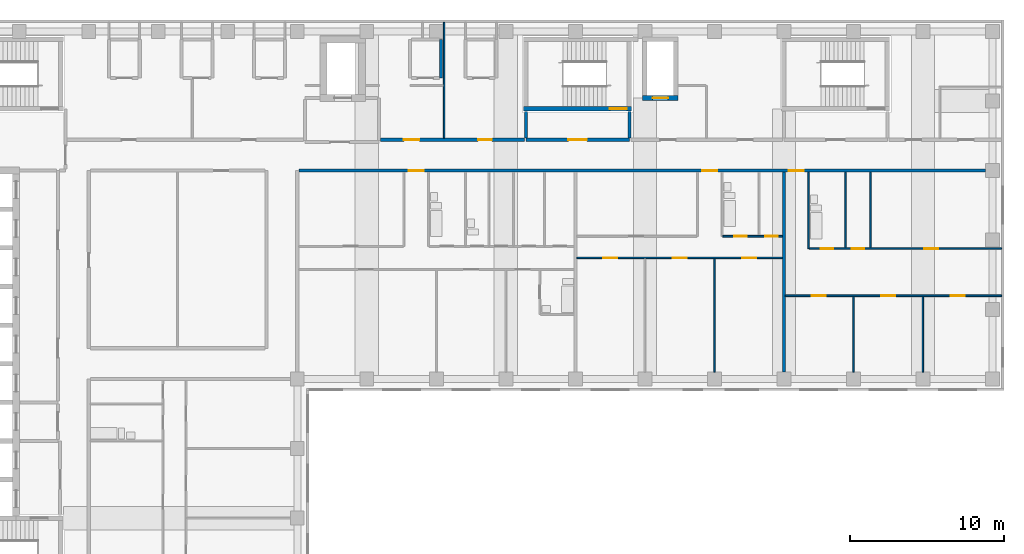
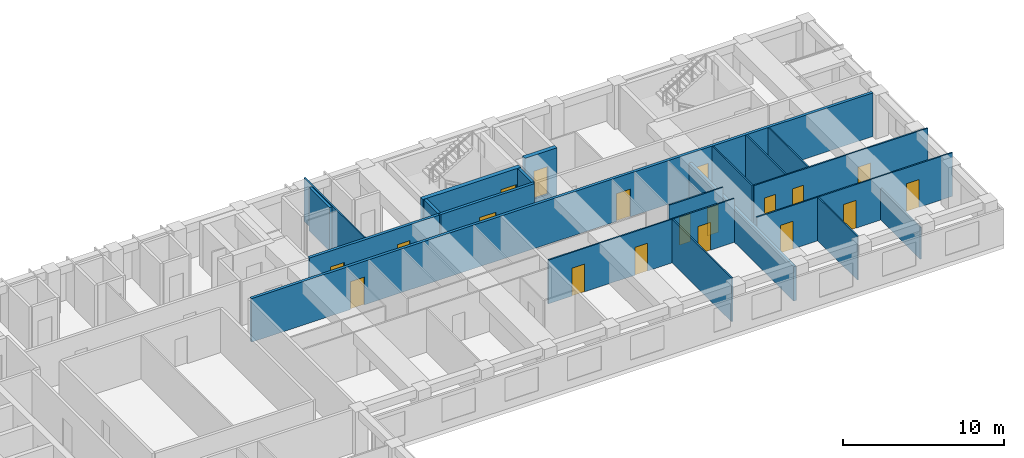
# One storey, part 7 of 11: 20 walls, 19 doors, 19 openings.
"""IFC4 building model written with IfcOpenShell, lengths in metres."""

from ifc_helpers import new_model, si_unit, direction, frame, frame_2d, origin, place, context, subcontext, project, spatial, rectangle, extrude, material, layer, layer_set, type_object, element, fill, save


model = new_model("IFC4")

# Units and contexts
model_context = context("Model", 3, precision=1e-05, world=origin(), true_north=direction((0.0, 1.0)))
body_context = subcontext(model_context, "Body", "Model", "MODEL_VIEW")
ifc_project = project(units=[si_unit("LENGTHUNIT", "METRE"), si_unit("AREAUNIT", "SQUARE_METRE"), si_unit("VOLUMEUNIT", "CUBIC_METRE"), si_unit("PLANEANGLEUNIT", "RADIAN"), si_unit("MASSUNIT", "GRAM", prefix="KILO")], contexts=[model_context])

# Site, building, storey
site_placement = place(None, origin())
site = spatial("IfcSite", under=ifc_project, at=site_placement, CompositionType="ELEMENT")
building_placement = place(site_placement, origin())
building = spatial("IfcBuilding", under=site, at=building_placement, Name="Firuza Court", CompositionType="ELEMENT")
storey_placement = place(building_placement, frame((0.0, 0.0, 179.0)))
storey = spatial("IfcBuildingStorey", under=building, at=storey_placement, Name="L45", CompositionType="ELEMENT", Elevation=179.0)

# Walls
ifc_material_1 = material(Name="Moisture-resistant gypsum board partition")
ifc_layer_1 = layer(ifc_material_1, 0.10009765625)
ifc_layer_set_1 = layer_set([ifc_layer_1], Name="Moisture-resistant gypsum board partition")
wall_type_1 = type_object("IfcWallType", Name="Bathroom partition 100", PredefinedType="PLUMBINGWALL", material=ifc_layer_set_1)
wall_1_placement = place(storey_placement, frame((55.60009765625, 44.449951171875, 0.0), z_axis=(0.0, 0.0, 1.0), x_axis=(0.0, 1.0, 0.0)))
element("IfcWall", 1, at=wall_1_placement, inside=storey, type_object=wall_type_1, Name="Bathroom partition 100 L45", PredefinedType="PLUMBINGWALL", context=body_context, shape_type="SweptSolid", body=[
    extrude(rectangle(XDim=4.949951171875, YDim=0.10009765625, at=frame_2d((2.47509765625, 0.0))), origin(), (0.0, 0.0, 1.0), 3.300048828125),
])
wall_2_placement = place(storey_placement, frame((58.0, 44.5, 0.0), z_axis=(0.0, 0.0, 1.0), x_axis=(0.0, 1.0, 0.0)))
element("IfcWall", 2, at=wall_2_placement, inside=storey, type_object=wall_type_1, Name="Bathroom partition 100 L45", PredefinedType="PLUMBINGWALL", context=body_context, shape_type="SweptSolid", body=[
    extrude(rectangle(XDim=4.89990234375, YDim=0.10009765625, at=frame_2d((2.449951171875, 0.0))), origin(), (0.0, 0.0, 1.0), 3.300048828125),
])

# Wall, opening, door
ifc_material_2 = material(Name="Concrete C50/60", Category="concrete")
ifc_layer_2 = layer(ifc_material_2, 0.300048828125)
ifc_layer_set_2 = layer_set([ifc_layer_2], Name="Concrete C50/60")
wall_type_2 = type_object("IfcWallType", Name="Core wall 300 C50/60", PredefinedType="SHEAR", material=ifc_layer_set_2)
wall_3_placement = place(storey_placement, frame((37.14990234375, 53.5, -0.300048828125), z_axis=(0.0, 0.0, 1.0), x_axis=(1.0, 0.0, 0.0)))
wall_3 = element("IfcWall", 3, at=wall_3_placement, inside=storey, type_object=wall_type_2, Name="Core wall stair L45", PredefinedType="SHEAR", context=body_context, shape_type="SweptSolid", body=[
    extrude(rectangle(XDim=7.0, YDim=0.300048828125, at=frame_2d((3.5, 0.0))), origin(), (0.0, 0.0, 1.0), 3.60009765625),
])
opening_1_placement = place(wall_3_placement, frame((5.580078125, 0.0, 0.300048828125)))
opening_1 = element("IfcOpeningElement", 4, at=opening_1_placement, cuts=wall_3, Name="Opening D45012", PredefinedType="OPENING", context=body_context, shape_type="SweptSolid", body=[
    extrude(rectangle(XDim=1.10009765625, YDim=2.10009765625, at=frame_2d((0.550048828125, 1.050048828125))), frame((0.0, 0.162109375, 0.0), z_axis=(0.0, -1.0, 0.0), x_axis=(1.0, 0.0, 0.0)), (0.0, 0.0, 1.0), 0.323974609375),
])
ifc_material_3 = material(Name="Timber door leaf in hardwood frame", Category="wood")
door_type_1 = type_object("IfcDoorType", Name="Stair door 1100", OperationType="SINGLE_SWING_LEFT", PredefinedType="DOOR", material=ifc_material_3)
door_1_placement = place(opening_1_placement, origin())
door_1 = element("IfcDoor", 5, at=door_1_placement, inside=storey, type_object=door_type_1, Name="Stair door S1", OperationType="SINGLE_SWING_RIGHT", OverallHeight=2.10009765625, OverallWidth=1.10009765625, PredefinedType="DOOR", context=body_context, shape_type="SweptSolid", body=[
    extrude(rectangle(XDim=1.10009765625, YDim=2.10009765625, at=frame_2d((0.550048828125, 1.050048828125))), frame((0.0, 0.02490234375, 0.0), z_axis=(0.0, -1.0, 0.0), x_axis=(1.0, 0.0, 0.0)), (0.0, 0.0, 1.0), 0.050048828125),
])
fill(opening_1, door_1)

wall_4_placement = place(storey_placement, frame((44.85009765625, 54.199951171875, -0.300048828125), z_axis=(0.0, 0.0, 1.0), x_axis=(1.0, 0.0, 0.0)))
wall_4 = element("IfcWall", 6, at=wall_4_placement, inside=storey, type_object=wall_type_2, Name="Core wall riser L45", PredefinedType="SHEAR", context=body_context, shape_type="SweptSolid", body=[
    extrude(rectangle(XDim=2.2998046875, YDim=0.300048828125, at=frame_2d((1.14990234375, 0.0))), origin(), (0.0, 0.0, 1.0), 3.60009765625),
])
opening_2_placement = place(wall_4_placement, frame((0.64990234375, 0.0, 0.300048828125)))
opening_2 = element("IfcOpeningElement", 7, at=opening_2_placement, cuts=wall_4, Name="Opening D45010", PredefinedType="OPENING", context=body_context, shape_type="SweptSolid", body=[
    extrude(rectangle(XDim=1.0, YDim=2.10009765625, at=frame_2d((0.5, 1.050048828125))), frame((0.0, 0.162109375, 0.0), z_axis=(0.0, -1.0, 0.0), x_axis=(1.0, 0.0, 0.0)), (0.0, 0.0, 1.0), 0.323974609375),
])
ifc_material_4 = material(Name="Timber door leaf in hardwood frame", Category="wood")
door_type_2 = type_object("IfcDoorType", Name="Riser door 1000", OperationType="SINGLE_SWING_LEFT", PredefinedType="DOOR", material=ifc_material_4)
door_2_placement = place(opening_2_placement, origin())
door_2 = element("IfcDoor", 8, at=door_2_placement, inside=storey, type_object=door_type_2, Name="Riser door R3", OperationType="SINGLE_SWING_LEFT", OverallHeight=2.10009765625, OverallWidth=1.0, PredefinedType="DOOR", context=body_context, shape_type="SweptSolid", body=[
    extrude(rectangle(XDim=1.0, YDim=2.10009765625, at=frame_2d((0.5, 1.050048828125))), frame((0.0, 0.02490234375, 0.0), z_axis=(0.0, -1.0, 0.0), x_axis=(1.0, 0.0, 0.0)), (0.0, 0.0, 1.0), 0.050048828125),
])
fill(opening_2, door_2)

# Wall, openings, doors
ifc_material_5 = material(Name="Blockwork, plastered both sides", Category="masonry")
ifc_layer_3 = layer(ifc_material_5, 0.199951171875)
ifc_layer_set_3 = layer_set([ifc_layer_3], Name="Blockwork, plastered both sides")
wall_type_3 = type_object("IfcWallType", Name="Corridor wall 200", PredefinedType="PARTITIONING", material=ifc_layer_set_3)
wall_5_placement = place(storey_placement, frame((22.60009765625, 49.5, 0.0), z_axis=(0.0, 0.0, 1.0), x_axis=(1.0, 0.0, 0.0)))
wall_5 = element("IfcWall", 9, at=wall_5_placement, inside=storey, type_object=wall_type_3, Name="Corridor wall 200 L45", PredefinedType="PARTITIONING", context=body_context, shape_type="SweptSolid", body=[
    extrude(rectangle(XDim=44.449951171875, YDim=0.199951171875, at=frame_2d((22.22509765625, 0.0))), origin(), (0.0, 0.0, 1.0), 3.300048828125),
])
opening_3_placement = place(wall_5_placement, frame((7.10009765625, 0.0, 0.0)))
opening_3 = element("IfcOpeningElement", 10, at=opening_3_placement, cuts=wall_5, Name="Opening D45060", PredefinedType="OPENING", context=body_context, shape_type="SweptSolid", body=[
    extrude(rectangle(XDim=1.0, YDim=2.10009765625, at=frame_2d((0.5, 1.050048828125))), frame((0.0, 0.11181640625, 0.0), z_axis=(0.0, -1.0, 0.0), x_axis=(1.0, 0.0, 0.0)), (0.0, 0.0, 1.0), 0.223876953125),
])
opening_4_placement = place(wall_5_placement, frame((26.10009765625, 0.0, 0.0)))
opening_4 = element("IfcOpeningElement", 11, at=opening_4_placement, cuts=wall_5, Name="Opening D45061", PredefinedType="OPENING", context=body_context, shape_type="SweptSolid", body=[
    extrude(rectangle(XDim=1.0, YDim=2.10009765625, at=frame_2d((0.5, 1.050048828125))), frame((0.0, 0.11181640625, 0.0), z_axis=(0.0, -1.0, 0.0), x_axis=(1.0, 0.0, 0.0)), (0.0, 0.0, 1.0), 0.223876953125),
])
opening_5_placement = place(wall_5_placement, frame((31.699951171875, 0.0, 0.0)))
opening_5 = element("IfcOpeningElement", 12, at=opening_5_placement, cuts=wall_5, Name="Opening D45062", PredefinedType="OPENING", context=body_context, shape_type="SweptSolid", body=[
    extrude(rectangle(XDim=1.0, YDim=2.10009765625, at=frame_2d((0.5, 1.050048828125))), frame((0.0, 0.11181640625, 0.0), z_axis=(0.0, -1.0, 0.0), x_axis=(1.0, 0.0, 0.0)), (0.0, 0.0, 1.0), 0.223876953125),
])
ifc_material_6 = material(Name="Timber door leaf in hardwood frame", Category="wood")
door_type_3 = type_object("IfcDoorType", Name="Flat entrance door 1000", OperationType="SINGLE_SWING_LEFT", PredefinedType="DOOR", material=ifc_material_6)
door_3_placement = place(opening_3_placement, origin())
door_3 = element("IfcDoor", 13, at=door_3_placement, inside=storey, type_object=door_type_3, Name="Flat entrance door", OperationType="SINGLE_SWING_LEFT", OverallHeight=2.10009765625, OverallWidth=1.0, PredefinedType="DOOR", context=body_context, shape_type="SweptSolid", body=[
    extrude(rectangle(XDim=1.0, YDim=2.10009765625, at=frame_2d((0.5, 1.050048828125))), frame((0.0, 0.02490234375, 0.0), z_axis=(0.0, -1.0, 0.0), x_axis=(1.0, 0.0, 0.0)), (0.0, 0.0, 1.0), 0.050048828125),
])
fill(opening_3, door_3)
door_4_placement = place(opening_4_placement, origin())
door_4 = element("IfcDoor", 14, at=door_4_placement, inside=storey, type_object=door_type_3, Name="Flat entrance door", OperationType="SINGLE_SWING_LEFT", OverallHeight=2.10009765625, OverallWidth=1.0, PredefinedType="DOOR", context=body_context, shape_type="SweptSolid", body=[
    extrude(rectangle(XDim=1.0, YDim=2.10009765625, at=frame_2d((0.5, 1.050048828125))), frame((0.0, 0.02490234375, 0.0), z_axis=(0.0, -1.0, 0.0), x_axis=(1.0, 0.0, 0.0)), (0.0, 0.0, 1.0), 0.050048828125),
])
fill(opening_4, door_4)
door_5_placement = place(opening_5_placement, origin())
door_5 = element("IfcDoor", 15, at=door_5_placement, inside=storey, type_object=door_type_3, Name="Flat entrance door", OperationType="SINGLE_SWING_LEFT", OverallHeight=2.10009765625, OverallWidth=1.0, PredefinedType="DOOR", context=body_context, shape_type="SweptSolid", body=[
    extrude(rectangle(XDim=1.0, YDim=2.10009765625, at=frame_2d((0.5, 1.050048828125))), frame((0.0, 0.02490234375, 0.0), z_axis=(0.0, -1.0, 0.0), x_axis=(1.0, 0.0, 0.0)), (0.0, 0.0, 1.0), 0.050048828125),
])
fill(opening_5, door_5)

wall_6_placement = place(storey_placement, frame((27.89990234375, 51.5, 0.0), z_axis=(0.0, 0.0, 1.0), x_axis=(1.0, 0.0, 0.0)))
wall_6 = element("IfcWall", 16, at=wall_6_placement, inside=storey, type_object=wall_type_3, Name="Corridor wall 200 L45", PredefinedType="PARTITIONING", context=body_context, shape_type="SweptSolid", body=[
    extrude(rectangle(XDim=9.300048828125, YDim=0.199951171875, at=frame_2d((4.64990234375, 0.0))), origin(), (0.0, 0.0, 1.0), 3.300048828125),
])
opening_6_placement = place(wall_6_placement, frame((1.5, 0.0, 0.0)))
opening_6 = element("IfcOpeningElement", 17, at=opening_6_placement, cuts=wall_6, Name="Opening D45065", PredefinedType="OPENING", context=body_context, shape_type="SweptSolid", body=[
    extrude(rectangle(XDim=1.0, YDim=2.10009765625, at=frame_2d((0.5, 1.050048828125))), frame((0.0, 0.11181640625, 0.0), z_axis=(0.0, -1.0, 0.0), x_axis=(1.0, 0.0, 0.0)), (0.0, 0.0, 1.0), 0.223876953125),
])
opening_7_placement = place(wall_6_placement, frame((6.300048828125, 0.0, 0.0)))
opening_7 = element("IfcOpeningElement", 18, at=opening_7_placement, cuts=wall_6, Name="Opening D45066", PredefinedType="OPENING", context=body_context, shape_type="SweptSolid", body=[
    extrude(rectangle(XDim=0.89990234375, YDim=2.10009765625, at=frame_2d((0.449951171875, 1.050048828125))), frame((0.0, 0.11181640625, 0.0), z_axis=(0.0, -1.0, 0.0), x_axis=(1.0, 0.0, 0.0)), (0.0, 0.0, 1.0), 0.223876953125),
])
ifc_material_7 = material(Name="Timber door leaf in hardwood frame", Category="wood")
door_type_4 = type_object("IfcDoorType", Name="Room door 900 EI 30", OperationType="SINGLE_SWING_LEFT", PredefinedType="DOOR", material=ifc_material_7)
door_6_placement = place(opening_7_placement, origin())
door_6 = element("IfcDoor", 19, at=door_6_placement, inside=storey, type_object=door_type_4, Name="Staff pantry door", OperationType="SINGLE_SWING_LEFT", OverallHeight=2.10009765625, OverallWidth=0.89990234375, PredefinedType="DOOR", context=body_context, shape_type="SweptSolid", body=[
    extrude(rectangle(XDim=0.89990234375, YDim=2.10009765625, at=frame_2d((0.449951171875, 1.050048828125))), frame((0.0, 0.02490234375, 0.0), z_axis=(0.0, -1.0, 0.0), x_axis=(1.0, 0.0, 0.0)), (0.0, 0.0, 1.0), 0.050048828125),
])
fill(opening_7, door_6)
ifc_material_8 = material(Name="Timber door leaf in hardwood frame", Category="wood")
door_type_5 = type_object("IfcDoorType", Name="Store door 1000", OperationType="SINGLE_SWING_LEFT", PredefinedType="DOOR", material=ifc_material_8)
door_7_placement = place(opening_6_placement, origin())
door_7 = element("IfcDoor", 20, at=door_7_placement, inside=storey, type_object=door_type_5, Name="Parcel room door", OperationType="SINGLE_SWING_LEFT", OverallHeight=2.10009765625, OverallWidth=1.0, PredefinedType="DOOR", context=body_context, shape_type="SweptSolid", body=[
    extrude(rectangle(XDim=1.0, YDim=2.10009765625, at=frame_2d((0.5, 1.050048828125))), frame((0.0, 0.02490234375, 0.0), z_axis=(0.0, -1.0, 0.0), x_axis=(1.0, 0.0, 0.0)), (0.0, 0.0, 1.0), 0.050048828125),
])
fill(opening_6, door_7)

# Walls
ifc_material_9 = material(Name="Timber stud partition, plasterboard both sides", Category="wood")
ifc_layer_4 = layer(ifc_material_9, 0.10009765625)
ifc_layer_set_4 = layer_set([ifc_layer_4], Name="Timber stud partition, plasterboard both sides")
wall_type_4 = type_object("IfcWallType", Name="Partition wall 100", PredefinedType="PARTITIONING", material=ifc_layer_set_4)
wall_7_placement = place(storey_placement, frame((49.5, 36.449951171875, 0.0), z_axis=(0.0, 0.0, 1.0), x_axis=(0.0, 1.0, 0.0)))
element("IfcWall", 21, at=wall_7_placement, inside=storey, type_object=wall_type_4, Name="Partition wall 100 L45", PredefinedType="PARTITIONING", context=body_context, shape_type="SweptSolid", body=[
    extrude(rectangle(XDim=7.35009765625, YDim=0.10009765625, at=frame_2d((3.675048828125, 0.0))), origin(), (0.0, 0.0, 1.0), 3.300048828125),
])
wall_8_placement = place(storey_placement, frame((58.5, 36.449951171875, 0.0), z_axis=(0.0, 0.0, 1.0), x_axis=(0.0, 1.0, 0.0)))
element("IfcWall", 22, at=wall_8_placement, inside=storey, type_object=wall_type_4, Name="Partition wall 100 L45", PredefinedType="PARTITIONING", context=body_context, shape_type="SweptSolid", body=[
    extrude(rectangle(XDim=4.900146484375, YDim=0.10009765625, at=frame_2d((2.4501953125, 0.0))), origin(), (0.0, 0.0, 1.0), 3.300048828125),
])
wall_9_placement = place(storey_placement, frame((63.0, 36.449951171875, 0.0), z_axis=(0.0, 0.0, 1.0), x_axis=(0.0, 1.0, 0.0)))
element("IfcWall", 23, at=wall_9_placement, inside=storey, type_object=wall_type_4, Name="Partition wall 100 L45", PredefinedType="PARTITIONING", context=body_context, shape_type="SweptSolid", body=[
    extrude(rectangle(XDim=4.900146484375, YDim=0.10009765625, at=frame_2d((2.4501953125, 0.0))), origin(), (0.0, 0.0, 1.0), 2.39990234375),
])

# Wall, openings, doors
wall_10_placement = place(storey_placement, frame((54.10009765625, 41.39990234375, 0.0), z_axis=(0.0, 0.0, 1.0), x_axis=(1.0, 0.0, 0.0)))
wall_10 = element("IfcWall", 24, at=wall_10_placement, inside=storey, type_object=wall_type_4, Name="Partition wall 100 L45", PredefinedType="PARTITIONING", context=body_context, shape_type="SweptSolid", body=[
    extrude(rectangle(XDim=14.0, YDim=0.10009765625, at=frame_2d((7.0, 0.0))), origin(), (0.0, 0.0, 1.0), 3.300048828125),
])
opening_8_placement = place(wall_10_placement, frame((1.699951171875, 0.0, 0.0)))
opening_8 = element("IfcOpeningElement", 25, at=opening_8_placement, cuts=wall_10, Name="Opening D45038", PredefinedType="OPENING", context=body_context, shape_type="SweptSolid", body=[
    extrude(rectangle(XDim=0.89990234375, YDim=2.10009765625, at=frame_2d((0.449951171875, 1.050048828125))), frame((0.0, 0.06201171875, 0.0), z_axis=(0.0, -1.0, 0.0), x_axis=(1.0, 0.0, 0.0)), (0.0, 0.0, 1.0), 0.1240234375),
])
opening_9_placement = place(wall_10_placement, frame((6.199951171875, 0.0, 0.0)))
opening_9 = element("IfcOpeningElement", 26, at=opening_9_placement, cuts=wall_10, Name="Opening D45039", PredefinedType="OPENING", context=body_context, shape_type="SweptSolid", body=[
    extrude(rectangle(XDim=0.89990234375, YDim=2.10009765625, at=frame_2d((0.449951171875, 1.050048828125))), frame((0.0, 0.06201171875, 0.0), z_axis=(0.0, -1.0, 0.0), x_axis=(1.0, 0.0, 0.0)), (0.0, 0.0, 1.0), 0.1240234375),
])
opening_10_placement = place(wall_10_placement, frame((10.699951171875, 0.0, 0.0)))
opening_10 = element("IfcOpeningElement", 27, at=opening_10_placement, cuts=wall_10, Name="Opening D45040", PredefinedType="OPENING", context=body_context, shape_type="SweptSolid", body=[
    extrude(rectangle(XDim=0.89990234375, YDim=2.10009765625, at=frame_2d((0.449951171875, 1.050048828125))), frame((0.0, 0.06201171875, 0.0), z_axis=(0.0, -1.0, 0.0), x_axis=(1.0, 0.0, 0.0)), (0.0, 0.0, 1.0), 0.1240234375),
])
ifc_material_10 = material(Name="Timber door leaf in hardwood frame", Category="wood")
door_type_6 = type_object("IfcDoorType", Name="Room door 900", OperationType="SINGLE_SWING_LEFT", PredefinedType="DOOR", material=ifc_material_10)
door_8_placement = place(opening_8_placement, frame((0.89990234375, 0.0, 0.0), z_axis=(0.0, 0.0, 1.0), x_axis=(-1.0, 0.0, 0.0)))
door_8 = element("IfcDoor", 28, at=door_8_placement, inside=storey, type_object=door_type_6, Name="Living room door", OperationType="SINGLE_SWING_RIGHT", OverallHeight=2.10009765625, OverallWidth=0.89990234375, PredefinedType="DOOR", context=body_context, shape_type="SweptSolid", body=[
    extrude(rectangle(XDim=0.89990234375, YDim=2.10009765625, at=frame_2d((0.449951171875, 1.050048828125))), frame((0.0, 0.02490234375, 0.0), z_axis=(0.0, -1.0, 0.0), x_axis=(1.0, 0.0, 0.0)), (0.0, 0.0, 1.0), 0.050048828125),
])
fill(opening_8, door_8)
door_9_placement = place(opening_9_placement, frame((0.89990234375, 0.0, 0.0), z_axis=(0.0, 0.0, 1.0), x_axis=(-1.0, 0.0, 0.0)))
door_9 = element("IfcDoor", 29, at=door_9_placement, inside=storey, type_object=door_type_6, Name="Bedroom door", OperationType="SINGLE_SWING_RIGHT", OverallHeight=2.10009765625, OverallWidth=0.89990234375, PredefinedType="DOOR", context=body_context, shape_type="SweptSolid", body=[
    extrude(rectangle(XDim=0.89990234375, YDim=2.10009765625, at=frame_2d((0.449951171875, 1.050048828125))), frame((0.0, 0.02490234375, 0.0), z_axis=(0.0, -1.0, 0.0), x_axis=(1.0, 0.0, 0.0)), (0.0, 0.0, 1.0), 0.050048828125),
])
fill(opening_9, door_9)
door_10_placement = place(opening_10_placement, frame((0.89990234375, 0.0, 0.0), z_axis=(0.0, 0.0, 1.0), x_axis=(-1.0, 0.0, 0.0)))
door_10 = element("IfcDoor", 30, at=door_10_placement, inside=storey, type_object=door_type_6, Name="Bedroom door", OperationType="SINGLE_SWING_RIGHT", OverallHeight=2.10009765625, OverallWidth=0.89990234375, PredefinedType="DOOR", context=body_context, shape_type="SweptSolid", body=[
    extrude(rectangle(XDim=0.89990234375, YDim=2.10009765625, at=frame_2d((0.449951171875, 1.050048828125))), frame((0.0, 0.02490234375, 0.0), z_axis=(0.0, -1.0, 0.0), x_axis=(1.0, 0.0, 0.0)), (0.0, 0.0, 1.0), 0.050048828125),
])
fill(opening_10, door_10)

wall_11_placement = place(storey_placement, frame((40.60009765625, 43.85009765625, 0.0), z_axis=(0.0, 0.0, 1.0), x_axis=(1.0, 0.0, 0.0)))
wall_11 = element("IfcWall", 31, at=wall_11_placement, inside=storey, type_object=wall_type_4, Name="Partition wall 100 L45", PredefinedType="PARTITIONING", context=body_context, shape_type="SweptSolid", body=[
    extrude(rectangle(XDim=13.2998046875, YDim=0.10009765625, at=frame_2d((6.64990234375, 0.0))), origin(), (0.0, 0.0, 1.0), 3.300048828125),
])
opening_11_placement = place(wall_11_placement, frame((1.699951171875, 0.0, 0.0)))
opening_11 = element("IfcOpeningElement", 32, at=opening_11_placement, cuts=wall_11, Name="Opening D45044", PredefinedType="OPENING", context=body_context, shape_type="SweptSolid", body=[
    extrude(rectangle(XDim=0.89990234375, YDim=2.10009765625, at=frame_2d((0.449951171875, 1.050048828125))), frame((0.0, 0.06201171875, 0.0), z_axis=(0.0, -1.0, 0.0), x_axis=(1.0, 0.0, 0.0)), (0.0, 0.0, 1.0), 0.1240234375),
])
opening_12_placement = place(wall_11_placement, frame((6.199951171875, 0.0, 0.0)))
opening_12 = element("IfcOpeningElement", 33, at=opening_12_placement, cuts=wall_11, Name="Opening D45045", PredefinedType="OPENING", context=body_context, shape_type="SweptSolid", body=[
    extrude(rectangle(XDim=0.89990234375, YDim=2.10009765625, at=frame_2d((0.449951171875, 1.050048828125))), frame((0.0, 0.06201171875, 0.0), z_axis=(0.0, -1.0, 0.0), x_axis=(1.0, 0.0, 0.0)), (0.0, 0.0, 1.0), 0.1240234375),
])
opening_13_placement = place(wall_11_placement, frame((10.699951171875, 0.0, 0.0)))
opening_13 = element("IfcOpeningElement", 34, at=opening_13_placement, cuts=wall_11, Name="Opening D45046", PredefinedType="OPENING", context=body_context, shape_type="SweptSolid", body=[
    extrude(rectangle(XDim=0.89990234375, YDim=2.10009765625, at=frame_2d((0.449951171875, 1.050048828125))), frame((0.0, 0.06201171875, 0.0), z_axis=(0.0, -1.0, 0.0), x_axis=(1.0, 0.0, 0.0)), (0.0, 0.0, 1.0), 0.1240234375),
])
door_11_placement = place(opening_11_placement, frame((0.89990234375, 0.0, 0.0), z_axis=(0.0, 0.0, 1.0), x_axis=(-1.0, 0.0, 0.0)))
door_11 = element("IfcDoor", 35, at=door_11_placement, inside=storey, type_object=door_type_6, Name="Living room door", OperationType="SINGLE_SWING_RIGHT", OverallHeight=2.10009765625, OverallWidth=0.89990234375, PredefinedType="DOOR", context=body_context, shape_type="SweptSolid", body=[
    extrude(rectangle(XDim=0.89990234375, YDim=2.10009765625, at=frame_2d((0.449951171875, 1.050048828125))), frame((0.0, 0.02490234375, 0.0), z_axis=(0.0, -1.0, 0.0), x_axis=(1.0, 0.0, 0.0)), (0.0, 0.0, 1.0), 0.050048828125),
])
fill(opening_11, door_11)
door_12_placement = place(opening_12_placement, frame((0.89990234375, 0.0, 0.0), z_axis=(0.0, 0.0, 1.0), x_axis=(-1.0, 0.0, 0.0)))
door_12 = element("IfcDoor", 36, at=door_12_placement, inside=storey, type_object=door_type_6, Name="Bedroom door", OperationType="SINGLE_SWING_RIGHT", OverallHeight=2.10009765625, OverallWidth=0.89990234375, PredefinedType="DOOR", context=body_context, shape_type="SweptSolid", body=[
    extrude(rectangle(XDim=0.89990234375, YDim=2.10009765625, at=frame_2d((0.449951171875, 1.050048828125))), frame((0.0, 0.02490234375, 0.0), z_axis=(0.0, -1.0, 0.0), x_axis=(1.0, 0.0, 0.0)), (0.0, 0.0, 1.0), 0.050048828125),
])
fill(opening_12, door_12)
door_13_placement = place(opening_13_placement, frame((0.89990234375, 0.0, 0.0), z_axis=(0.0, 0.0, 1.0), x_axis=(-1.0, 0.0, 0.0)))
door_13 = element("IfcDoor", 37, at=door_13_placement, inside=storey, type_object=door_type_6, Name="Study door", OperationType="SINGLE_SWING_RIGHT", OverallHeight=2.10009765625, OverallWidth=0.89990234375, PredefinedType="DOOR", context=body_context, shape_type="SweptSolid", body=[
    extrude(rectangle(XDim=0.89990234375, YDim=2.10009765625, at=frame_2d((0.449951171875, 1.050048828125))), frame((0.0, 0.02490234375, 0.0), z_axis=(0.0, -1.0, 0.0), x_axis=(1.0, 0.0, 0.0)), (0.0, 0.0, 1.0), 0.050048828125),
])
fill(opening_13, door_13)

wall_12_placement = place(storey_placement, frame((55.64990234375, 44.449951171875, 0.0), z_axis=(0.0, 0.0, 1.0), x_axis=(1.0, 0.0, 0.0)))
wall_12 = element("IfcWall", 38, at=wall_12_placement, inside=storey, type_object=wall_type_4, Name="Partition wall 100 L45", PredefinedType="PARTITIONING", context=body_context, shape_type="SweptSolid", body=[
    extrude(rectangle(XDim=12.4501953125, YDim=0.10009765625, at=frame_2d((6.22509765625, 0.0))), origin(), (0.0, 0.0, 1.0), 3.300048828125),
])
opening_14_placement = place(wall_12_placement, frame((0.75, 0.0, 0.0)))
opening_14 = element("IfcOpeningElement", 39, at=opening_14_placement, cuts=wall_12, Name="Opening D45047", PredefinedType="OPENING", context=body_context, shape_type="SweptSolid", body=[
    extrude(rectangle(XDim=0.800048828125, YDim=2.10009765625, at=frame_2d((0.39990234375, 1.050048828125))), frame((0.0, 0.06201171875, 0.0), z_axis=(0.0, -1.0, 0.0), x_axis=(1.0, 0.0, 0.0)), (0.0, 0.0, 1.0), 0.1240234375),
])
opening_15_placement = place(wall_12_placement, frame((7.449951171875, 0.0, 0.0)))
opening_15 = element("IfcOpeningElement", 40, at=opening_15_placement, cuts=wall_12, Name="Opening D45048", PredefinedType="OPENING", context=body_context, shape_type="SweptSolid", body=[
    extrude(rectangle(XDim=0.89990234375, YDim=2.10009765625, at=frame_2d((0.449951171875, 1.050048828125))), frame((0.0, 0.06201171875, 0.0), z_axis=(0.0, -1.0, 0.0), x_axis=(1.0, 0.0, 0.0)), (0.0, 0.0, 1.0), 0.1240234375),
])
opening_16_placement = place(wall_12_placement, frame((2.75, 0.0, 0.0)))
opening_16 = element("IfcOpeningElement", 41, at=opening_16_placement, cuts=wall_12, Name="Opening D45049", PredefinedType="OPENING", context=body_context, shape_type="SweptSolid", body=[
    extrude(rectangle(XDim=0.800048828125, YDim=2.10009765625, at=frame_2d((0.39990234375, 1.050048828125))), frame((0.0, 0.06201171875, 0.0), z_axis=(0.0, -1.0, 0.0), x_axis=(1.0, 0.0, 0.0)), (0.0, 0.0, 1.0), 0.1240234375),
])
ifc_material_11 = material(Name="Timber door leaf in hardwood frame", Category="wood")
door_type_7 = type_object("IfcDoorType", Name="Bathroom door 800", OperationType="SINGLE_SWING_LEFT", PredefinedType="DOOR", material=ifc_material_11)
door_14_placement = place(opening_14_placement, origin())
door_14 = element("IfcDoor", 42, at=door_14_placement, inside=storey, type_object=door_type_7, Name="Bathroom door", OperationType="SINGLE_SWING_LEFT", OverallHeight=2.10009765625, OverallWidth=0.800048828125, PredefinedType="DOOR", context=body_context, shape_type="SweptSolid", body=[
    extrude(rectangle(XDim=0.800048828125, YDim=2.10009765625, at=frame_2d((0.39990234375, 1.050048828125))), frame((0.0, 0.02490234375, 0.0), z_axis=(0.0, -1.0, 0.0), x_axis=(1.0, 0.0, 0.0)), (0.0, 0.0, 1.0), 0.050048828125),
])
fill(opening_14, door_14)
ifc_material_12 = material(Name="Timber door leaf in hardwood frame", Category="wood")
door_type_8 = type_object("IfcDoorType", Name="Room door 800", OperationType="SINGLE_SWING_LEFT", PredefinedType="DOOR", material=ifc_material_12)
door_15_placement = place(opening_16_placement, origin())
door_15 = element("IfcDoor", 43, at=door_15_placement, inside=storey, type_object=door_type_8, Name="Store door", OperationType="SINGLE_SWING_LEFT", OverallHeight=2.10009765625, OverallWidth=0.800048828125, PredefinedType="DOOR", context=body_context, shape_type="SweptSolid", body=[
    extrude(rectangle(XDim=0.800048828125, YDim=2.10009765625, at=frame_2d((0.39990234375, 1.050048828125))), frame((0.0, 0.02490234375, 0.0), z_axis=(0.0, -1.0, 0.0), x_axis=(1.0, 0.0, 0.0)), (0.0, 0.0, 1.0), 0.050048828125),
])
fill(opening_16, door_15)
door_16_placement = place(opening_15_placement, origin())
door_16 = element("IfcDoor", 44, at=door_16_placement, inside=storey, type_object=door_type_6, Name="Kitchen door", OperationType="SINGLE_SWING_LEFT", OverallHeight=2.10009765625, OverallWidth=0.89990234375, PredefinedType="DOOR", context=body_context, shape_type="SweptSolid", body=[
    extrude(rectangle(XDim=0.89990234375, YDim=2.10009765625, at=frame_2d((0.449951171875, 1.050048828125))), frame((0.0, 0.02490234375, 0.0), z_axis=(0.0, -1.0, 0.0), x_axis=(1.0, 0.0, 0.0)), (0.0, 0.0, 1.0), 0.050048828125),
])
fill(opening_15, door_16)

# Wall
wall_13_placement = place(storey_placement, frame((59.60009765625, 44.5, 0.0), z_axis=(0.0, 0.0, 1.0), x_axis=(0.0, 1.0, 0.0)))
element("IfcWall", 45, at=wall_13_placement, inside=storey, type_object=wall_type_4, Name="Partition wall 100 L45", PredefinedType="PARTITIONING", context=body_context, shape_type="SweptSolid", body=[
    extrude(rectangle(XDim=4.89990234375, YDim=0.10009765625, at=frame_2d((2.449951171875, 0.0))), origin(), (0.0, 0.0, 1.0), 3.300048828125),
])

# Wall, openings, doors
wall_14_placement = place(storey_placement, frame((50.050048828125, 45.25, 0.0), z_axis=(0.0, 0.0, 1.0), x_axis=(1.0, 0.0, 0.0)))
wall_14 = element("IfcWall", 46, at=wall_14_placement, inside=storey, type_object=wall_type_4, Name="Partition wall 100 L45", PredefinedType="PARTITIONING", context=body_context, shape_type="SweptSolid", body=[
    extrude(rectangle(XDim=3.849853515625, YDim=0.10009765625, at=frame_2d((1.9248046875, 0.0))), origin(), (0.0, 0.0, 1.0), 3.300048828125),
])
opening_17_placement = place(wall_14_placement, frame((0.75, 0.0, 0.0)))
opening_17 = element("IfcOpeningElement", 47, at=opening_17_placement, cuts=wall_14, Name="Opening D45057", PredefinedType="OPENING", context=body_context, shape_type="SweptSolid", body=[
    extrude(rectangle(XDim=0.800048828125, YDim=2.10009765625, at=frame_2d((0.39990234375, 1.050048828125))), frame((0.0, 0.06201171875, 0.0), z_axis=(0.0, -1.0, 0.0), x_axis=(1.0, 0.0, 0.0)), (0.0, 0.0, 1.0), 0.1240234375),
])
opening_18_placement = place(wall_14_placement, frame((2.75, 0.0, 0.0)))
opening_18 = element("IfcOpeningElement", 48, at=opening_18_placement, cuts=wall_14, Name="Opening D45058", PredefinedType="OPENING", context=body_context, shape_type="SweptSolid", body=[
    extrude(rectangle(XDim=0.800048828125, YDim=2.10009765625, at=frame_2d((0.39990234375, 1.050048828125))), frame((0.0, 0.06201171875, 0.0), z_axis=(0.0, -1.0, 0.0), x_axis=(1.0, 0.0, 0.0)), (0.0, 0.0, 1.0), 0.1240234375),
])
door_17_placement = place(opening_17_placement, origin())
door_17 = element("IfcDoor", 49, at=door_17_placement, inside=storey, type_object=door_type_7, Name="Bathroom door", OperationType="SINGLE_SWING_LEFT", OverallHeight=2.10009765625, OverallWidth=0.800048828125, PredefinedType="DOOR", context=body_context, shape_type="SweptSolid", body=[
    extrude(rectangle(XDim=0.800048828125, YDim=2.10009765625, at=frame_2d((0.39990234375, 1.050048828125))), frame((0.0, 0.02490234375, 0.0), z_axis=(0.0, -1.0, 0.0), x_axis=(1.0, 0.0, 0.0)), (0.0, 0.0, 1.0), 0.050048828125),
])
fill(opening_17, door_17)
door_18_placement = place(opening_18_placement, origin())
door_18 = element("IfcDoor", 50, at=door_18_placement, inside=storey, type_object=door_type_8, Name="Store door", OperationType="SINGLE_SWING_LEFT", OverallHeight=2.10009765625, OverallWidth=0.800048828125, PredefinedType="DOOR", context=body_context, shape_type="SweptSolid", body=[
    extrude(rectangle(XDim=0.800048828125, YDim=2.10009765625, at=frame_2d((0.39990234375, 1.050048828125))), frame((0.0, 0.02490234375, 0.0), z_axis=(0.0, -1.0, 0.0), x_axis=(1.0, 0.0, 0.0)), (0.0, 0.0, 1.0), 0.050048828125),
])
fill(opening_18, door_18)

# Walls
wall_15_placement = place(storey_placement, frame((32.0, 51.60009765625, 0.0), z_axis=(0.0, 0.0, 1.0), x_axis=(0.0, 1.0, 0.0)))
element("IfcWall", 51, at=wall_15_placement, inside=storey, type_object=wall_type_4, Name="Partition wall 100 L45", PredefinedType="PARTITIONING", context=body_context, shape_type="SweptSolid", body=[
    extrude(rectangle(XDim=7.5, YDim=0.10009765625, at=frame_2d((3.75, 0.0))), origin(), (0.0, 0.0, 1.0), 3.300048828125),
])
ifc_layer_5 = layer(ifc_material_5, 0.199951171875)
ifc_layer_set_5 = layer_set([ifc_layer_5], Name="Blockwork, plastered both sides")
wall_type_5 = type_object("IfcWallType", Name="Party wall 200", PredefinedType="PARTITIONING", material=ifc_layer_set_5)
wall_16_placement = place(storey_placement, frame((54.0, 36.449951171875, 0.0), z_axis=(0.0, 0.0, 1.0), x_axis=(0.0, 1.0, 0.0)))
element("IfcWall", 52, at=wall_16_placement, inside=storey, type_object=wall_type_5, Name="Party wall 200 L45", PredefinedType="PARTITIONING", context=body_context, shape_type="SweptSolid", body=[
    extrude(rectangle(XDim=12.949951171875, YDim=0.199951171875, at=frame_2d((6.47509765625, 0.0))), origin(), (0.0, 0.0, 1.0), 2.60009765625),
])
ifc_material_13 = material(Name="Blockwork, fire-rated", Category="masonry")
ifc_layer_6 = layer(ifc_material_13, 0.199951171875)
ifc_layer_set_6 = layer_set([ifc_layer_6], Name="Blockwork, fire-rated")
wall_type_6 = type_object("IfcWallType", Name="Plant room wall 200", PredefinedType="PARTITIONING", material=ifc_layer_set_6)
wall_17_placement = place(storey_placement, frame((31.800048828125, 55.5, 0.0), z_axis=(0.0, 0.0, 1.0), x_axis=(0.0, 1.0, 0.0)))
element("IfcWall", 53, at=wall_17_placement, inside=storey, type_object=wall_type_6, Name="Plant room wall 200 L45", PredefinedType="PARTITIONING", context=body_context, shape_type="SweptSolid", body=[
    extrude(rectangle(XDim=2.5, YDim=0.199951171875, at=frame_2d((1.25, 0.0))), origin(), (0.0, 0.0, 1.0), 3.300048828125),
])

# Wall, opening, door
ifc_layer_7 = layer(ifc_material_13, 0.199951171875)
ifc_layer_set_7 = layer_set([ifc_layer_7], Name="Blockwork, fire-rated")
wall_type_7 = type_object("IfcWallType", Name="Shaft wall 200", PredefinedType="PARTITIONING", material=ifc_layer_set_7)
wall_18_placement = place(storey_placement, frame((37.300048828125, 51.5, 0.0), z_axis=(0.0, 0.0, 1.0), x_axis=(1.0, 0.0, 0.0)))
wall_18 = element("IfcWall", 54, at=wall_18_placement, inside=storey, type_object=wall_type_7, Name="Shaft wall 200 L45", PredefinedType="PARTITIONING", context=body_context, shape_type="SweptSolid", body=[
    extrude(rectangle(XDim=6.699951171875, YDim=0.199951171875, at=frame_2d((3.35009765625, 0.0))), origin(), (0.0, 0.0, 1.0), 3.300048828125),
])
opening_19_placement = place(wall_18_placement, frame((2.75, 0.0, 0.0)))
opening_19 = element("IfcOpeningElement", 55, at=opening_19_placement, cuts=wall_18, Name="Opening D45006", PredefinedType="OPENING", context=body_context, shape_type="SweptSolid", body=[
    extrude(rectangle(XDim=1.199951171875, YDim=2.10009765625, at=frame_2d((0.60009765625, 1.050048828125))), frame((0.0, 0.11181640625, 0.0), z_axis=(0.0, -1.0, 0.0), x_axis=(1.0, 0.0, 0.0)), (0.0, 0.0, 1.0), 0.223876953125),
])
ifc_material_14 = material(Name="Timber door leaf in hardwood frame", Category="wood")
door_type_9 = type_object("IfcDoorType", Name="Lobby door 1200", OperationType="SINGLE_SWING_LEFT", PredefinedType="DOOR", material=ifc_material_14)
door_19_placement = place(opening_19_placement, origin())
door_19 = element("IfcDoor", 56, at=door_19_placement, inside=storey, type_object=door_type_9, Name="Lobby door", OperationType="SINGLE_SWING_LEFT", OverallHeight=2.10009765625, OverallWidth=1.199951171875, PredefinedType="DOOR", context=body_context, shape_type="SweptSolid", body=[
    extrude(rectangle(XDim=1.199951171875, YDim=2.10009765625, at=frame_2d((0.60009765625, 1.050048828125))), frame((0.0, 0.02490234375, 0.0), z_axis=(0.0, -1.0, 0.0), x_axis=(1.0, 0.0, 0.0)), (0.0, 0.0, 1.0), 0.050048828125),
])
fill(opening_19, door_19)

# Walls
for number, where, z_axis, x_axis, name in (
    (57, (44.0, 51.60009765625, 0.0), (0.0, 0.0, 1.0), (0.0, 1.0, 0.0), "Shaft wall 200 L45"),
    (58, (37.300048828125, 51.60009765625, 0.0), (0.0, 0.0, 1.0), (0.0, 1.0, 0.0), "Shaft wall 200 L45"),
):
    element("IfcWall", number, at=place(storey_placement, frame(where, z_axis=z_axis, x_axis=x_axis)), inside=storey, type_object=wall_type_7, Name=name, PredefinedType="PARTITIONING", context=body_context, shape_type="SweptSolid", body=[
        extrude(rectangle(XDim=1.72998046875, YDim=0.199951171875, at=frame_2d((0.864990234375, 0.0))), origin(), (0.0, 0.0, 1.0), 3.300048828125),
    ])

save(model, "model.ifc")
